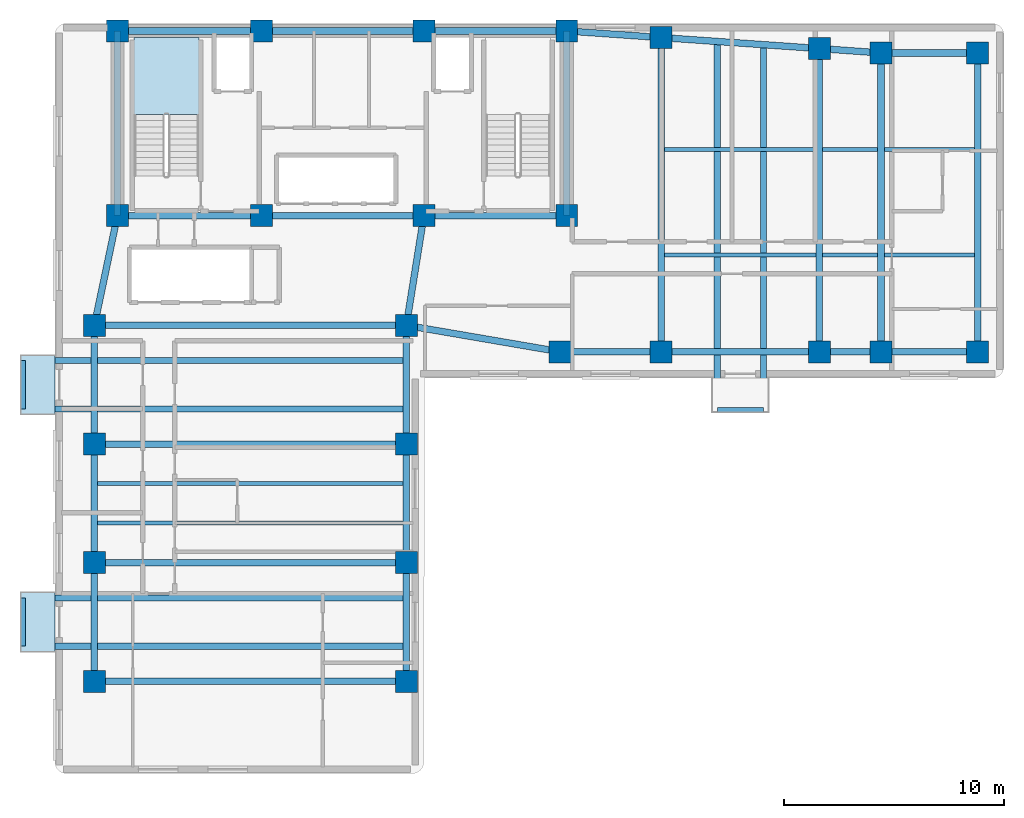
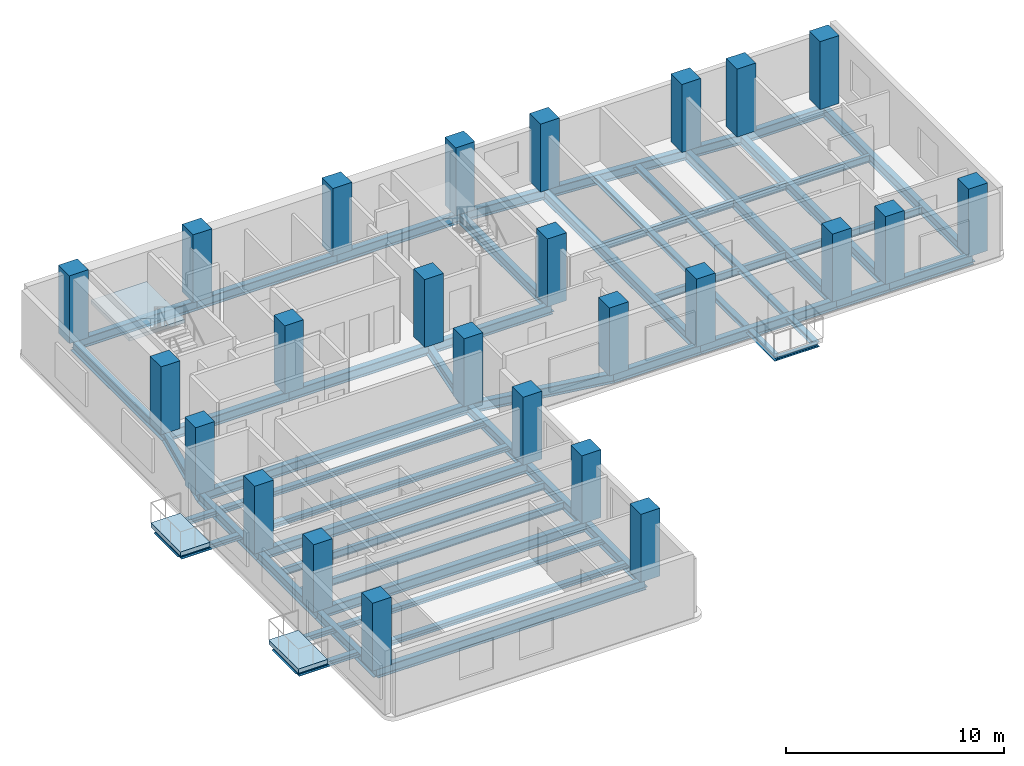
# One storey, part 1 of 7: 50 beams, 25 columns, 3 slabs, 1 element without a shape of its own.
"""IFC4 building model written with IfcOpenShell, lengths in metres."""

from ifc_helpers import new_model, si_unit, direction, frame, origin, origin_2d, place, context, subcontext, project, spatial, polyline, rectangle, i_section, outline, extrude, material, layer, layer_set, material_profile, profile_set, type_object, element, aggregate, save


model = new_model("IFC4")

# Units and contexts
model_context = context("Model", 3, precision=1e-05, world=origin(), true_north=direction((0.0, 1.0)))
body_context = subcontext(model_context, "Body", "Model", "MODEL_VIEW")
ifc_project = project(units=[si_unit("LENGTHUNIT", "METRE"), si_unit("AREAUNIT", "SQUARE_METRE"), si_unit("VOLUMEUNIT", "CUBIC_METRE"), si_unit("PLANEANGLEUNIT", "RADIAN"), si_unit("MASSUNIT", "GRAM", prefix="KILO")], contexts=[model_context])

# Site, building, storey
site_placement = place(None, origin())
site = spatial("IfcSite", under=ifc_project, at=site_placement, CompositionType="ELEMENT")
building_placement = place(site_placement, origin())
building = spatial("IfcBuilding", under=site, at=building_placement, Name="Kuzgunbayir Cultural Tower", CompositionType="ELEMENT")
storey_placement = place(building_placement, frame((0.0, 0.0, 152.199951171875)))
storey = spatial("IfcBuildingStorey", under=building, at=storey_placement, Name="L44", CompositionType="ELEMENT", Elevation=152.199951171875)

# Columns
ifc_material_1 = material(Name="Concrete C50/60", Category="concrete")
ifc_material_profile_1 = material_profile(ifc_material_1, rectangle(XDim=1.0, YDim=1.0, at=origin_2d()), Name="RC 1000x1000")
ifc_profile_set_1 = profile_set([ifc_material_profile_1], Name="Concrete C50/60")
column_type_1 = type_object("IfcColumnType", Name="COL-CORE-1000", PredefinedType="COLUMN", material=ifc_profile_set_1)
for number, where, z_axis, x_axis, name in (
    (1, (6.449951171875, 33.800048828125, 0.0), (0.0, 0.0, 1.0), (1.0, 0.0, 0.0), "L44 T1 Core Boundary Column CC1-1"),
    (2, (13.0, 33.800048828125, 0.0), (0.0, 0.0, 1.0), (1.0, 0.0, 0.0), "L44 T1 Core Boundary Column CC1-2"),
    (3, (20.39990234375, 33.800048828125, 0.0), (0.0, 0.0, 1.0), (1.0, 0.0, 0.0), "L44 T1 Core Boundary Column CC1-3"),
    (4, (26.89990234375, 33.800048828125, 0.0), (0.0, 0.0, 1.0), (1.0, 0.0, 0.0), "L44 T1 Core Boundary Column CC1-4"),
    (5, (6.449951171875, 42.199951171875, 0.0), (0.0, 0.0, 1.0), (1.0, 0.0, 0.0), "L44 T1 Core Boundary Column CC1-5"),
    (6, (13.0, 42.199951171875, 0.0), (0.0, 0.0, 1.0), (1.0, 0.0, 0.0), "L44 T1 Core Boundary Column CC1-6"),
    (7, (20.39990234375, 42.199951171875, 0.0), (0.0, 0.0, 1.0), (1.0, 0.0, 0.0), "L44 T1 Core Boundary Column CC1-7"),
    (8, (26.89990234375, 42.199951171875, 0.0), (0.0, 0.0, 1.0), (1.0, 0.0, 0.0), "L44 T1 Core Boundary Column CC1-8"),
):
    element("IfcColumn", number, at=place(storey_placement, frame(where, z_axis=z_axis, x_axis=x_axis)), inside=storey, type_object=column_type_1, Name=name, PredefinedType="COLUMN", context=body_context, shape_type="SweptSolid", body=[
        extrude(rectangle(XDim=1.0, YDim=1.0, at=origin_2d()), origin(), (0.0, 0.0, 1.0), 3.800048828125),
    ])
ifc_material_profile_2 = material_profile(ifc_material_1, rectangle(XDim=1.0, YDim=1.0, at=origin_2d()), Name="RC 1000x1000")
ifc_profile_set_2 = profile_set([ifc_material_profile_2], Name="Concrete C50/60")
column_type_2 = type_object("IfcColumnType", Name="COL-T1-1000", PredefinedType="COLUMN", material=ifc_profile_set_2)
for number, where, z_axis, x_axis, name in (
    (9, (5.39990234375, 12.60009765625, 0.0), (0.0, 0.0, 1.0), (1.0, 0.0, 0.0), "L44 Tower 1 Wing A Column T1A-W-1"),
    (10, (19.60009765625, 12.60009765625, 0.0), (0.0, 0.0, 1.0), (1.0, 0.0, 0.0), "L44 Tower 1 Wing A Column T1A-E-1"),
    (11, (5.39990234375, 18.0, 0.0), (0.0, 0.0, 1.0), (1.0, 0.0, 0.0), "L44 Tower 1 Wing A Column T1A-W-2"),
    (12, (19.60009765625, 18.0, 0.0), (0.0, 0.0, 1.0), (1.0, 0.0, 0.0), "L44 Tower 1 Wing A Column T1A-E-2"),
    (13, (5.39990234375, 23.39990234375, 0.0), (0.0, 0.0, 1.0), (1.0, 0.0, 0.0), "L44 Tower 1 Wing A Column T1A-W-3"),
    (14, (19.60009765625, 23.39990234375, 0.0), (0.0, 0.0, 1.0), (1.0, 0.0, 0.0), "L44 Tower 1 Wing A Column T1A-E-3"),
    (15, (5.39990234375, 28.800048828125, 0.0), (0.0, 0.0, 1.0), (1.0, 0.0, 0.0), "L44 Tower 1 Wing A Column T1A-W-4"),
    (16, (19.60009765625, 28.800048828125, 0.0), (0.0, 0.0, 1.0), (1.0, 0.0, 0.0), "L44 Tower 1 Wing A Column T1A-E-4"),
    (17, (26.60009765625, 27.60009765625, 0.0), (0.0, 0.0, 1.0), (1.0, 0.0, 0.0), "L44 Tower 1 Wing B Column T1B-1-1"),
    (18, (31.199951171875, 27.60009765625, 0.0), (0.0, 0.0, 1.0), (1.0, 0.0, 0.0), "L44 Tower 1 Wing B Column T1B-2-1"),
    (19, (31.199951171875, 41.89990234375, 0.0), (0.0, 0.0, 1.0), (1.0, 0.0, 0.0), "L44 Tower 1 Wing B Column T1B-2-2"),
    (20, (38.39990234375, 27.60009765625, 0.0), (0.0, 0.0, 1.0), (1.0, 0.0, 0.0), "L44 Tower 1 Wing B Column T1B-3-1"),
    (21, (38.39990234375, 41.39990234375, 0.0), (0.0, 0.0, 1.0), (1.0, 0.0, 0.0), "L44 Tower 1 Wing B Column T1B-3-2"),
    (22, (41.199951171875, 27.60009765625, 0.0), (0.0, 0.0, 1.0), (1.0, 0.0, 0.0), "L44 Tower 1 Wing B Column T1B-4-1"),
    (23, (41.199951171875, 41.199951171875, 0.0), (0.0, 0.0, 1.0), (1.0, 0.0, 0.0), "L44 Tower 1 Wing B Column T1B-4-2"),
    (24, (45.60009765625, 27.60009765625, 0.0), (0.0, 0.0, 1.0), (1.0, 0.0, 0.0), "L44 Tower 1 Wing B Column T1B-5-1"),
    (25, (45.60009765625, 41.199951171875, 0.0), (0.0, 0.0, 1.0), (1.0, 0.0, 0.0), "L44 Tower 1 Wing B Column T1B-5-2"),
):
    element("IfcColumn", number, at=place(storey_placement, frame(where, z_axis=z_axis, x_axis=x_axis)), inside=storey, type_object=column_type_2, Name=name, PredefinedType="COLUMN", context=body_context, shape_type="SweptSolid", body=[
        extrude(rectangle(XDim=1.0, YDim=1.0, at=origin_2d()), origin(), (0.0, 0.0, 1.0), 3.800048828125),
    ])

# Beams
ifc_material_2 = material(Name="Steel S355J2", Category="steel")
ifc_material_profile_3 = material_profile(ifc_material_2, i_section(OverallWidth=0.280029296875, OverallDepth=0.280029296875, WebThickness=0.010498046875, FlangeThickness=0.01806640625, FilletRadius=0.02392578125, at=origin_2d()), Name="HEB 280")
ifc_profile_set_3 = profile_set([ifc_material_profile_3], Name="Steel S355J2")
beam_type_1 = type_object("IfcBeamType", Name="BM-BAL-HEB280", PredefinedType="BEAM", material=ifc_profile_set_3)
for number, where, z_axis, x_axis, name in (
    (26, (2.159912109375, 14.199951171875, -0.3798828125), (1.0, 0.0, 0.0), (0.0, 1.0, 0.0), "L44 Balcony Outrigger Beam BAL-L44-WA1.1"),
    (27, (2.159912109375, 16.39990234375, -0.3798828125), (1.0, 0.0, 0.0), (0.0, 1.0, 0.0), "L44 Balcony Outrigger Beam BAL-L44-WA1.2"),
    (28, (2.159912109375, 25.0, -0.3798828125), (1.0, 0.0, 0.0), (0.0, 1.0, 0.0), "L44 Balcony Outrigger Beam BAL-L44-WA3.1"),
    (29, (2.159912109375, 27.199951171875, -0.3798828125), (1.0, 0.0, 0.0), (0.0, 1.0, 0.0), "L44 Balcony Outrigger Beam BAL-L44-WA3.2"),
):
    element("IfcBeam", number, at=place(storey_placement, frame(where, z_axis=z_axis, x_axis=x_axis)), inside=storey, type_object=beam_type_1, Name=name, PredefinedType="BEAM", context=body_context, shape_type="SweptSolid", body=[
        extrude(i_section(OverallWidth=0.280029296875, OverallDepth=0.280029296875, WebThickness=0.010498046875, FlangeThickness=0.01806640625, FilletRadius=0.02392578125, at=origin_2d()), origin(), (0.0, 0.0, 1.0), 17.440185546875),
    ])
beam_1_placement = place(storey_placement, frame((33.75, 24.9599609375, -0.3798828125), z_axis=(0.0, 1.0, 0.0), x_axis=(-1.0, 0.0, 0.0)))
element("IfcBeam", 30, at=beam_1_placement, inside=storey, type_object=beam_type_1, Name="L44 Balcony Outrigger Beam BAL-L44-WB2.1", PredefinedType="BEAM", context=body_context, shape_type="SweptSolid", body=[
    extrude(i_section(OverallWidth=0.280029296875, OverallDepth=0.280029296875, WebThickness=0.010498046875, FlangeThickness=0.01806640625, FilletRadius=0.02392578125, at=origin_2d()), origin(), (0.0, 0.0, 1.0), 16.760009765625),
])
beam_2_placement = place(storey_placement, frame((35.85009765625, 24.9599609375, -0.3798828125), z_axis=(0.0, 1.0, 0.0), x_axis=(-1.0, 0.0, 0.0)))
element("IfcBeam", 31, at=beam_2_placement, inside=storey, type_object=beam_type_1, Name="L44 Balcony Outrigger Beam BAL-L44-WB2.2", PredefinedType="BEAM", context=body_context, shape_type="SweptSolid", body=[
    extrude(i_section(OverallWidth=0.280029296875, OverallDepth=0.280029296875, WebThickness=0.010498046875, FlangeThickness=0.01806640625, FilletRadius=0.02392578125, at=origin_2d()), origin(), (0.0, 0.0, 1.0), 16.6201171875),
])
ifc_material_profile_4 = material_profile(ifc_material_2, i_section(OverallWidth=0.199951171875, OverallDepth=0.199951171875, WebThickness=0.009033203125, FlangeThickness=0.014892578125, FilletRadius=0.01806640625, at=origin_2d()), Name="HEB 200")
ifc_profile_set_4 = profile_set([ifc_material_profile_4], Name="Steel S355J2")
beam_type_2 = type_object("IfcBeamType", Name="BM-CAN-HEB200", PredefinedType="BEAM", material=ifc_profile_set_4)
for number, where, z_axis, x_axis, name in (
    (32, (2.159912109375, 14.199951171875, -0.33984375), (0.0, 1.0, 0.0), (-1.0, 0.0, 0.0), "L44 Balcony Edge Header BAL-L44-WA1"),
    (33, (2.159912109375, 25.0, -0.33984375), (0.0, 1.0, 0.0), (-1.0, 0.0, 0.0), "L44 Balcony Edge Header BAL-L44-WA3"),
):
    element("IfcBeam", number, at=place(storey_placement, frame(where, z_axis=z_axis, x_axis=x_axis)), inside=storey, type_object=beam_type_2, Name=name, PredefinedType="BEAM", context=body_context, shape_type="SweptSolid", body=[
        extrude(i_section(OverallWidth=0.199951171875, OverallDepth=0.199951171875, WebThickness=0.009033203125, FlangeThickness=0.014892578125, FilletRadius=0.01806640625, at=origin_2d()), origin(), (0.0, 0.0, 1.0), 2.199951171875),
    ])
beam_3_placement = place(storey_placement, frame((33.75, 24.9599609375, -0.33984375), z_axis=(1.0, 0.0, 0.0), x_axis=(0.0, 1.0, 0.0)))
element("IfcBeam", 34, at=beam_3_placement, inside=storey, type_object=beam_type_2, Name="L44 Balcony Edge Header BAL-L44-WB2", PredefinedType="BEAM", context=body_context, shape_type="SweptSolid", body=[
    extrude(i_section(OverallWidth=0.199951171875, OverallDepth=0.199951171875, WebThickness=0.009033203125, FlangeThickness=0.014892578125, FilletRadius=0.01806640625, at=origin_2d()), origin(), (0.0, 0.0, 1.0), 2.10009765625),
])
ifc_material_profile_5 = material_profile(ifc_material_2, i_section(OverallWidth=0.300048828125, OverallDepth=0.550048828125, WebThickness=0.014892578125, FlangeThickness=0.029052734375, FilletRadius=0.027099609375, at=origin_2d()), Name="HEB 550")
ifc_profile_set_5 = profile_set([ifc_material_profile_5], Name="Steel S355J2")
beam_type_3 = type_object("IfcBeamType", Name="BM-EXT-HEB550", PredefinedType="BEAM", material=ifc_profile_set_5)
for number, where, z_axis, x_axis, name in (
    (35, (5.39990234375, 12.60009765625, -0.510009765625), (0.0, 1.0, 0.0), (-1.0, 0.0, 0.0), "L44 Wing A West Girder 1"),
    (36, (19.60009765625, 12.60009765625, -0.510009765625), (0.0, 1.0, 0.0), (-1.0, 0.0, 0.0), "L44 Wing A East Girder 1"),
    (37, (5.39990234375, 18.0, -0.510009765625), (0.0, 1.0, 0.0), (-1.0, 0.0, 0.0), "L44 Wing A West Girder 2"),
    (38, (19.60009765625, 18.0, -0.510009765625), (0.0, 1.0, 0.0), (-1.0, 0.0, 0.0), "L44 Wing A East Girder 2"),
):
    element("IfcBeam", number, at=place(storey_placement, frame(where, z_axis=z_axis, x_axis=x_axis)), inside=storey, type_object=beam_type_3, Name=name, PredefinedType="BEAM", context=body_context, shape_type="SweptSolid", body=[
        extrude(i_section(OverallWidth=0.300048828125, OverallDepth=0.550048828125, WebThickness=0.014892578125, FlangeThickness=0.029052734375, FilletRadius=0.027099609375, at=origin_2d()), origin(), (0.0, 0.0, 1.0), 5.39990234375),
    ])
for number, where, z_axis, x_axis, name in (
    (39, (5.39990234375, 23.39990234375, -0.510009765625), (0.0, 1.0, 0.0), (-1.0, 0.0, 0.0), "L44 Wing A West Girder 3"),
    (40, (19.60009765625, 23.39990234375, -0.510009765625), (0.0, 1.0, 0.0), (-1.0, 0.0, 0.0), "L44 Wing A East Girder 3"),
):
    element("IfcBeam", number, at=place(storey_placement, frame(where, z_axis=z_axis, x_axis=x_axis)), inside=storey, type_object=beam_type_3, Name=name, PredefinedType="BEAM", context=body_context, shape_type="SweptSolid", body=[
        extrude(i_section(OverallWidth=0.300048828125, OverallDepth=0.550048828125, WebThickness=0.014892578125, FlangeThickness=0.029052734375, FilletRadius=0.027099609375, at=origin_2d()), origin(), (0.0, 0.0, 1.0), 5.400146484375),
    ])
beam_4_placement = place(storey_placement, frame((26.60009765625, 27.60009765625, -0.510009765625), z_axis=(1.0, 0.0, 0.0), x_axis=(0.0, 1.0, 0.0)))
element("IfcBeam", 41, at=beam_4_placement, inside=storey, type_object=beam_type_3, Name="L44 Wing B South Girder 1", PredefinedType="BEAM", context=body_context, shape_type="SweptSolid", body=[
    extrude(i_section(OverallWidth=0.300048828125, OverallDepth=0.550048828125, WebThickness=0.014892578125, FlangeThickness=0.029052734375, FilletRadius=0.027099609375, at=origin_2d()), origin(), (0.0, 0.0, 1.0), 4.599853515625),
])
beam_5_placement = place(storey_placement, frame((26.89990234375, 42.199951171875, -0.510009765625), z_axis=(0.997574369175, -0.069608749203, 0.0), x_axis=(0.069608749203, 0.997574369175, 0.0)))
element("IfcBeam", 42, at=beam_5_placement, inside=storey, type_object=beam_type_3, Name="L44 Wing B North Girder 1", PredefinedType="BEAM", context=body_context, shape_type="SweptSolid", body=[
    extrude(i_section(OverallWidth=0.300048828125, OverallDepth=0.550048828125, WebThickness=0.014892578125, FlangeThickness=0.029052734375, FilletRadius=0.027099609375, at=origin_2d()), origin(), (0.0, 0.0, 1.0), 4.310546875),
])
beam_6_placement = place(storey_placement, frame((31.199951171875, 27.60009765625, -0.510009765625), z_axis=(1.0, 0.0, 0.0), x_axis=(0.0, 1.0, 0.0)))
element("IfcBeam", 43, at=beam_6_placement, inside=storey, type_object=beam_type_3, Name="L44 Wing B South Girder 2", PredefinedType="BEAM", context=body_context, shape_type="SweptSolid", body=[
    extrude(i_section(OverallWidth=0.300048828125, OverallDepth=0.550048828125, WebThickness=0.014892578125, FlangeThickness=0.029052734375, FilletRadius=0.027099609375, at=origin_2d()), origin(), (0.0, 0.0, 1.0), 7.199951171875),
])
beam_7_placement = place(storey_placement, frame((31.199951171875, 41.89990234375, -0.510009765625), z_axis=(0.997597388498, -0.069278066245, 0.0), x_axis=(0.069278066245, 0.997597388498, 0.0)))
element("IfcBeam", 44, at=beam_7_placement, inside=storey, type_object=beam_type_3, Name="L44 Wing B North Girder 2", PredefinedType="BEAM", context=body_context, shape_type="SweptSolid", body=[
    extrude(i_section(OverallWidth=0.300048828125, OverallDepth=0.550048828125, WebThickness=0.014892578125, FlangeThickness=0.029052734375, FilletRadius=0.027099609375, at=origin_2d()), origin(), (0.0, 0.0, 1.0), 7.21728515625),
])
beam_8_placement = place(storey_placement, frame((38.39990234375, 27.60009765625, -0.510009765625), z_axis=(1.0, 0.0, 0.0), x_axis=(0.0, 1.0, 0.0)))
element("IfcBeam", 45, at=beam_8_placement, inside=storey, type_object=beam_type_3, Name="L44 Wing B South Girder 3", PredefinedType="BEAM", context=body_context, shape_type="SweptSolid", body=[
    extrude(i_section(OverallWidth=0.300048828125, OverallDepth=0.550048828125, WebThickness=0.014892578125, FlangeThickness=0.029052734375, FilletRadius=0.027099609375, at=origin_2d()), origin(), (0.0, 0.0, 1.0), 2.800048828125),
])
beam_9_placement = place(storey_placement, frame((38.39990234375, 41.39990234375, -0.510009765625), z_axis=(0.997460024076, -0.071228508128, 0.0), x_axis=(0.071228508128, 0.997460024076, 0.0)))
element("IfcBeam", 46, at=beam_9_placement, inside=storey, type_object=beam_type_3, Name="L44 Wing B North Girder 3", PredefinedType="BEAM", context=body_context, shape_type="SweptSolid", body=[
    extrude(i_section(OverallWidth=0.300048828125, OverallDepth=0.550048828125, WebThickness=0.014892578125, FlangeThickness=0.029052734375, FilletRadius=0.027099609375, at=origin_2d()), origin(), (0.0, 0.0, 1.0), 2.80712890625),
])
for number, where, z_axis, x_axis, name in (
    (47, (41.199951171875, 27.60009765625, -0.510009765625), (1.0, 0.0, 0.0), (0.0, 1.0, 0.0), "L44 Wing B South Girder 4"),
    (48, (41.199951171875, 41.199951171875, -0.510009765625), (1.0, 0.0, 0.0), (0.0, 1.0, 0.0), "L44 Wing B North Girder 4"),
):
    element("IfcBeam", number, at=place(storey_placement, frame(where, z_axis=z_axis, x_axis=x_axis)), inside=storey, type_object=beam_type_3, Name=name, PredefinedType="BEAM", context=body_context, shape_type="SweptSolid", body=[
        extrude(i_section(OverallWidth=0.300048828125, OverallDepth=0.550048828125, WebThickness=0.014892578125, FlangeThickness=0.029052734375, FilletRadius=0.027099609375, at=origin_2d()), origin(), (0.0, 0.0, 1.0), 4.400146484375),
    ])
ifc_material_profile_6 = material_profile(ifc_material_2, i_section(OverallWidth=0.300048828125, OverallDepth=0.550048828125, WebThickness=0.014892578125, FlangeThickness=0.029052734375, FilletRadius=0.027099609375, at=origin_2d()), Name="HEB 550")
ifc_profile_set_6 = profile_set([ifc_material_profile_6], Name="Steel S355J2")
beam_type_4 = type_object("IfcBeamType", Name="BM-GIR-HEB550", PredefinedType="BEAM", material=ifc_profile_set_6)
beam_10_placement = place(storey_placement, frame((6.449951171875, 33.800048828125, -0.510009765625), z_axis=(1.0, 0.0, 0.0), x_axis=(0.0, 1.0, 0.0)))
element("IfcBeam", 49, at=beam_10_placement, inside=storey, type_object=beam_type_4, Name="L44 Core South Girder 1", PredefinedType="BEAM", context=body_context, shape_type="SweptSolid", body=[
    extrude(i_section(OverallWidth=0.300048828125, OverallDepth=0.550048828125, WebThickness=0.014892578125, FlangeThickness=0.029052734375, FilletRadius=0.027099609375, at=origin_2d()), origin(), (0.0, 0.0, 1.0), 6.550048828125),
])
beam_11_placement = place(storey_placement, frame((13.0, 33.800048828125, -0.510009765625), z_axis=(1.0, 0.0, 0.0), x_axis=(0.0, 1.0, 0.0)))
element("IfcBeam", 50, at=beam_11_placement, inside=storey, type_object=beam_type_4, Name="L44 Core South Girder 2", PredefinedType="BEAM", context=body_context, shape_type="SweptSolid", body=[
    extrude(i_section(OverallWidth=0.300048828125, OverallDepth=0.550048828125, WebThickness=0.014892578125, FlangeThickness=0.029052734375, FilletRadius=0.027099609375, at=origin_2d()), origin(), (0.0, 0.0, 1.0), 7.39990234375),
])
beam_12_placement = place(storey_placement, frame((20.39990234375, 33.800048828125, -0.510009765625), z_axis=(1.0, 0.0, 0.0), x_axis=(0.0, 1.0, 0.0)))
element("IfcBeam", 51, at=beam_12_placement, inside=storey, type_object=beam_type_4, Name="L44 Core South Girder 3", PredefinedType="BEAM", context=body_context, shape_type="SweptSolid", body=[
    extrude(i_section(OverallWidth=0.300048828125, OverallDepth=0.550048828125, WebThickness=0.014892578125, FlangeThickness=0.029052734375, FilletRadius=0.027099609375, at=origin_2d()), origin(), (0.0, 0.0, 1.0), 6.5),
])
beam_13_placement = place(storey_placement, frame((6.449951171875, 42.199951171875, -0.510009765625), z_axis=(1.0, 0.0, 0.0), x_axis=(0.0, 1.0, 0.0)))
element("IfcBeam", 52, at=beam_13_placement, inside=storey, type_object=beam_type_4, Name="L44 Core North Girder 1", PredefinedType="BEAM", context=body_context, shape_type="SweptSolid", body=[
    extrude(i_section(OverallWidth=0.300048828125, OverallDepth=0.550048828125, WebThickness=0.014892578125, FlangeThickness=0.029052734375, FilletRadius=0.027099609375, at=origin_2d()), origin(), (0.0, 0.0, 1.0), 6.550048828125),
])
beam_14_placement = place(storey_placement, frame((13.0, 42.199951171875, -0.510009765625), z_axis=(1.0, 0.0, 0.0), x_axis=(0.0, 1.0, 0.0)))
element("IfcBeam", 53, at=beam_14_placement, inside=storey, type_object=beam_type_4, Name="L44 Core North Girder 2", PredefinedType="BEAM", context=body_context, shape_type="SweptSolid", body=[
    extrude(i_section(OverallWidth=0.300048828125, OverallDepth=0.550048828125, WebThickness=0.014892578125, FlangeThickness=0.029052734375, FilletRadius=0.027099609375, at=origin_2d()), origin(), (0.0, 0.0, 1.0), 7.39990234375),
])
beam_15_placement = place(storey_placement, frame((20.39990234375, 42.199951171875, -0.510009765625), z_axis=(1.0, 0.0, 0.0), x_axis=(0.0, 1.0, 0.0)))
element("IfcBeam", 54, at=beam_15_placement, inside=storey, type_object=beam_type_4, Name="L44 Core North Girder 3", PredefinedType="BEAM", context=body_context, shape_type="SweptSolid", body=[
    extrude(i_section(OverallWidth=0.300048828125, OverallDepth=0.550048828125, WebThickness=0.014892578125, FlangeThickness=0.029052734375, FilletRadius=0.027099609375, at=origin_2d()), origin(), (0.0, 0.0, 1.0), 6.5),
])
for number, where, z_axis, x_axis, name in (
    (55, (6.449951171875, 33.800048828125, -0.510009765625), (0.0, 1.0, 0.0), (-1.0, 0.0, 0.0), "L44 Core West Edge Girder"),
    (56, (26.89990234375, 33.800048828125, -0.510009765625), (0.0, 1.0, 0.0), (-1.0, 0.0, 0.0), "L44 Core East Edge Girder"),
):
    element("IfcBeam", number, at=place(storey_placement, frame(where, z_axis=z_axis, x_axis=x_axis)), inside=storey, type_object=beam_type_4, Name=name, PredefinedType="BEAM", context=body_context, shape_type="SweptSolid", body=[
        extrude(i_section(OverallWidth=0.300048828125, OverallDepth=0.550048828125, WebThickness=0.014892578125, FlangeThickness=0.029052734375, FilletRadius=0.027099609375, at=origin_2d()), origin(), (0.0, 0.0, 1.0), 8.39990234375),
    ])
for number, where, z_axis, x_axis, name in (
    (57, (5.39990234375, 12.60009765625, -0.510009765625), (1.0, 0.0, 0.0), (0.0, 1.0, 0.0), "L44 Wing A Transverse Girder 1"),
    (58, (5.39990234375, 18.0, -0.510009765625), (1.0, 0.0, 0.0), (0.0, 1.0, 0.0), "L44 Wing A Transverse Girder 2"),
    (59, (5.39990234375, 23.39990234375, -0.510009765625), (1.0, 0.0, 0.0), (0.0, 1.0, 0.0), "L44 Wing A Transverse Girder 3"),
    (60, (5.39990234375, 28.800048828125, -0.510009765625), (1.0, 0.0, 0.0), (0.0, 1.0, 0.0), "L44 Wing A Transverse Girder 4"),
):
    element("IfcBeam", number, at=place(storey_placement, frame(where, z_axis=z_axis, x_axis=x_axis)), inside=storey, type_object=beam_type_4, Name=name, PredefinedType="BEAM", context=body_context, shape_type="SweptSolid", body=[
        extrude(i_section(OverallWidth=0.300048828125, OverallDepth=0.550048828125, WebThickness=0.014892578125, FlangeThickness=0.029052734375, FilletRadius=0.027099609375, at=origin_2d()), origin(), (0.0, 0.0, 1.0), 14.2001953125),
    ])
beam_16_placement = place(storey_placement, frame((5.39990234375, 28.800048828125, -0.510009765625), z_axis=(0.205526387753, 0.978651574329, 0.0), x_axis=(-0.978651574329, 0.205526387753, 0.0)))
element("IfcBeam", 61, at=beam_16_placement, inside=storey, type_object=beam_type_4, Name="L44 Wing A West Core Floor Girder", PredefinedType="BEAM", context=body_context, shape_type="SweptSolid", body=[
    extrude(i_section(OverallWidth=0.300048828125, OverallDepth=0.550048828125, WebThickness=0.014892578125, FlangeThickness=0.029052734375, FilletRadius=0.027099609375, at=origin_2d()), origin(), (0.0, 0.0, 1.0), 5.109130859375),
])
beam_17_placement = place(storey_placement, frame((19.60009765625, 28.800048828125, -0.510009765625), z_axis=(0.157952891656, 0.987446648694, 0.0), x_axis=(-0.987446648694, 0.157952891656, 0.0)))
element("IfcBeam", 62, at=beam_17_placement, inside=storey, type_object=beam_type_4, Name="L44 Wing A East Core Floor Girder", PredefinedType="BEAM", context=body_context, shape_type="SweptSolid", body=[
    extrude(i_section(OverallWidth=0.300048828125, OverallDepth=0.550048828125, WebThickness=0.014892578125, FlangeThickness=0.029052734375, FilletRadius=0.027099609375, at=origin_2d()), origin(), (0.0, 0.0, 1.0), 5.0634765625),
])
beam_18_placement = place(storey_placement, frame((31.199951171875, 27.60009765625, -0.510009765625), z_axis=(0.0, 1.0, 0.0), x_axis=(-1.0, 0.0, 0.0)))
element("IfcBeam", 63, at=beam_18_placement, inside=storey, type_object=beam_type_4, Name="L44 Wing B Cross Girder 31", PredefinedType="BEAM", context=body_context, shape_type="SweptSolid", body=[
    extrude(i_section(OverallWidth=0.300048828125, OverallDepth=0.550048828125, WebThickness=0.014892578125, FlangeThickness=0.029052734375, FilletRadius=0.027099609375, at=origin_2d()), origin(), (0.0, 0.0, 1.0), 14.2998046875),
])
beam_19_placement = place(storey_placement, frame((38.39990234375, 27.60009765625, -0.510009765625), z_axis=(0.0, 1.0, 0.0), x_axis=(-1.0, 0.0, 0.0)))
element("IfcBeam", 64, at=beam_19_placement, inside=storey, type_object=beam_type_4, Name="L44 Wing B Cross Girder 38", PredefinedType="BEAM", context=body_context, shape_type="SweptSolid", body=[
    extrude(i_section(OverallWidth=0.300048828125, OverallDepth=0.550048828125, WebThickness=0.014892578125, FlangeThickness=0.029052734375, FilletRadius=0.027099609375, at=origin_2d()), origin(), (0.0, 0.0, 1.0), 13.7998046875),
])
for number, where, z_axis, x_axis, name in (
    (65, (41.199951171875, 27.60009765625, -0.510009765625), (0.0, 1.0, 0.0), (-1.0, 0.0, 0.0), "L44 Wing B Cross Girder 41"),
    (66, (45.60009765625, 27.60009765625, -0.510009765625), (0.0, 1.0, 0.0), (-1.0, 0.0, 0.0), "L44 Wing B Cross Girder 45"),
):
    element("IfcBeam", number, at=place(storey_placement, frame(where, z_axis=z_axis, x_axis=x_axis)), inside=storey, type_object=beam_type_4, Name=name, PredefinedType="BEAM", context=body_context, shape_type="SweptSolid", body=[
        extrude(i_section(OverallWidth=0.300048828125, OverallDepth=0.550048828125, WebThickness=0.014892578125, FlangeThickness=0.029052734375, FilletRadius=0.027099609375, at=origin_2d()), origin(), (0.0, 0.0, 1.0), 13.599853515625),
    ])
beam_20_placement = place(storey_placement, frame((19.60009765625, 28.800048828125, -0.510009765625), z_axis=(0.985623399742, -0.168957136221, 0.0), x_axis=(0.168957136221, 0.985623399742, 0.0)))
element("IfcBeam", 67, at=beam_20_placement, inside=storey, type_object=beam_type_4, Name="L44 Wing B Waist Tie Girder", PredefinedType="BEAM", context=body_context, shape_type="SweptSolid", body=[
    extrude(i_section(OverallWidth=0.300048828125, OverallDepth=0.550048828125, WebThickness=0.014892578125, FlangeThickness=0.029052734375, FilletRadius=0.027099609375, at=origin_2d()), origin(), (0.0, 0.0, 1.0), 7.10205078125),
])
ifc_material_profile_7 = material_profile(ifc_material_2, i_section(OverallWidth=0.179931640625, OverallDepth=0.39990234375, WebThickness=0.008544921875, FlangeThickness=0.013427734375, FilletRadius=0.02099609375, at=origin_2d()), Name="IPE 400")
ifc_profile_set_7 = profile_set([ifc_material_profile_7], Name="Steel S355J2")
beam_type_5 = type_object("IfcBeamType", Name="BM-JST-IPE400", PredefinedType="JOIST", material=ifc_profile_set_7)
for number, where, z_axis, x_axis, name in (
    (68, (5.550048828125, 19.800048828125, -0.43994140625), (1.0, 0.0, 0.0), (0.0, 1.0, 0.0), "L44 Wing A Secondary Joist 3"),
    (69, (5.550048828125, 21.60009765625, -0.43994140625), (1.0, 0.0, 0.0), (0.0, 1.0, 0.0), "L44 Wing A Secondary Joist 4"),
):
    element("IfcBeam", number, at=place(storey_placement, frame(where, z_axis=z_axis, x_axis=x_axis)), inside=storey, type_object=beam_type_5, Name=name, PredefinedType="JOIST", context=body_context, shape_type="SweptSolid", body=[
        extrude(i_section(OverallWidth=0.179931640625, OverallDepth=0.39990234375, WebThickness=0.008544921875, FlangeThickness=0.013427734375, FilletRadius=0.02099609375, at=origin_2d()), origin(), (0.0, 0.0, 1.0), 13.89990234375),
    ])
for number, where, z_axis, x_axis, name in (
    (70, (31.35009765625, 32.0, -0.43994140625), (1.0, 0.0, 0.0), (0.0, 1.0, 0.0), "L44 Wing B Secondary Joist 1.1"),
    (71, (31.35009765625, 36.800048828125, -0.43994140625), (1.0, 0.0, 0.0), (0.0, 1.0, 0.0), "L44 Wing B Secondary Joist 1.2"),
):
    element("IfcBeam", number, at=place(storey_placement, frame(where, z_axis=z_axis, x_axis=x_axis)), inside=storey, type_object=beam_type_5, Name=name, PredefinedType="JOIST", context=body_context, shape_type="SweptSolid", body=[
        extrude(i_section(OverallWidth=0.179931640625, OverallDepth=0.39990234375, WebThickness=0.008544921875, FlangeThickness=0.013427734375, FilletRadius=0.02099609375, at=origin_2d()), origin(), (0.0, 0.0, 1.0), 6.89990234375),
    ])
for number, where, z_axis, x_axis, name in (
    (72, (38.550048828125, 32.0, -0.43994140625), (1.0, 0.0, 0.0), (0.0, 1.0, 0.0), "L44 Wing B Secondary Joist 2.1"),
    (73, (38.550048828125, 36.800048828125, -0.43994140625), (1.0, 0.0, 0.0), (0.0, 1.0, 0.0), "L44 Wing B Secondary Joist 2.2"),
):
    element("IfcBeam", number, at=place(storey_placement, frame(where, z_axis=z_axis, x_axis=x_axis)), inside=storey, type_object=beam_type_5, Name=name, PredefinedType="JOIST", context=body_context, shape_type="SweptSolid", body=[
        extrude(i_section(OverallWidth=0.179931640625, OverallDepth=0.39990234375, WebThickness=0.008544921875, FlangeThickness=0.013427734375, FilletRadius=0.02099609375, at=origin_2d()), origin(), (0.0, 0.0, 1.0), 2.5),
    ])
for number, where, z_axis, x_axis, name in (
    (74, (41.35009765625, 32.0, -0.43994140625), (1.0, 0.0, 0.0), (0.0, 1.0, 0.0), "L44 Wing B Secondary Joist 3.1"),
    (75, (41.35009765625, 36.800048828125, -0.43994140625), (1.0, 0.0, 0.0), (0.0, 1.0, 0.0), "L44 Wing B Secondary Joist 3.2"),
):
    element("IfcBeam", number, at=place(storey_placement, frame(where, z_axis=z_axis, x_axis=x_axis)), inside=storey, type_object=beam_type_5, Name=name, PredefinedType="JOIST", context=body_context, shape_type="SweptSolid", body=[
        extrude(i_section(OverallWidth=0.179931640625, OverallDepth=0.39990234375, WebThickness=0.008544921875, FlangeThickness=0.013427734375, FilletRadius=0.02099609375, at=origin_2d()), origin(), (0.0, 0.0, 1.0), 4.099853515625),
    ])

# Slabs
ifc_material_3 = material(Name="Concrete C40/50", Category="concrete")
ifc_layer_1 = layer(ifc_material_3, 0.239990234375)
ifc_layer_set_1 = layer_set([ifc_layer_1], Name="Concrete C40/50")
slab_type_1 = type_object("IfcSlabType", Name="SLB-BAL-TRN", PredefinedType="FLOOR", material=ifc_layer_set_1)
slab_1_placement = place(storey_placement, frame((0.0, 0.0, -0.239990234375)))
element("IfcSlab", 76, at=slab_1_placement, inside=storey, type_object=slab_type_1, Name="L44 Projecting Limestone Balcony BAL-L44-WA1", PredefinedType="FLOOR", context=body_context, shape_type="SweptSolid", body=[
    extrude(outline(polyline([(2.0400390625, 13.949951171875), (3.60009765625, 13.949951171875), (3.60009765625, 16.64990234375), (2.0400390625, 16.64990234375), (2.0400390625, 13.949951171875)])), origin(), (0.0, 0.0, 1.0), 0.239990234375),
])
slab_2_placement = place(storey_placement, frame((0.0, 0.0, -0.239990234375)))
element("IfcSlab", 77, at=slab_2_placement, inside=storey, type_object=slab_type_1, Name="L44 Projecting Limestone Balcony BAL-L44-WA3", PredefinedType="FLOOR", context=body_context, shape_type="SweptSolid", body=[
    extrude(outline(polyline([(2.0400390625, 24.75), (3.60009765625, 24.75), (3.60009765625, 27.449951171875), (2.0400390625, 27.449951171875), (2.0400390625, 24.75)])), origin(), (0.0, 0.0, 1.0), 0.239990234375),
])

# Stair, slab
stair_type = type_object("IfcStairType", Name="STR-EXIT-CORE", PredefinedType="HALF_TURN_STAIR", material=ifc_material_3)
stair_placement = place(storey_placement, origin())
stair = element("IfcStair", 78, at=stair_placement, inside=storey, type_object=stair_type, Name="L44 ST-1", PredefinedType="HALF_TURN_STAIR")
ifc_layer_2 = layer(ifc_material_3, 0.179931640625)
ifc_layer_set_2 = layer_set([ifc_layer_2], Name="Concrete C40/50")
slab_type_2 = type_object("IfcSlabType", Name="SLB-LANDING-180", PredefinedType="LANDING", material=ifc_layer_set_2)
slab_3_placement = place(storey_placement, frame((0.0, 0.0, 1.699951171875)))
slab_3 = element("IfcSlab", 79, at=slab_3_placement, type_object=slab_type_2, Name="ST-1 landing 1", PredefinedType="LANDING", context=body_context, shape_type="SweptSolid", body=[
    extrude(outline(polyline([(10.159912109375, 38.39990234375), (10.159912109375, 41.89990234375), (7.199951171875, 41.89990234375), (7.199951171875, 38.39990234375), (10.159912109375, 38.39990234375)])), origin(), (0.0, 0.0, 1.0), 0.2001953125),
])
aggregate(stair, [slab_3])

save(model, "model.ifc")
